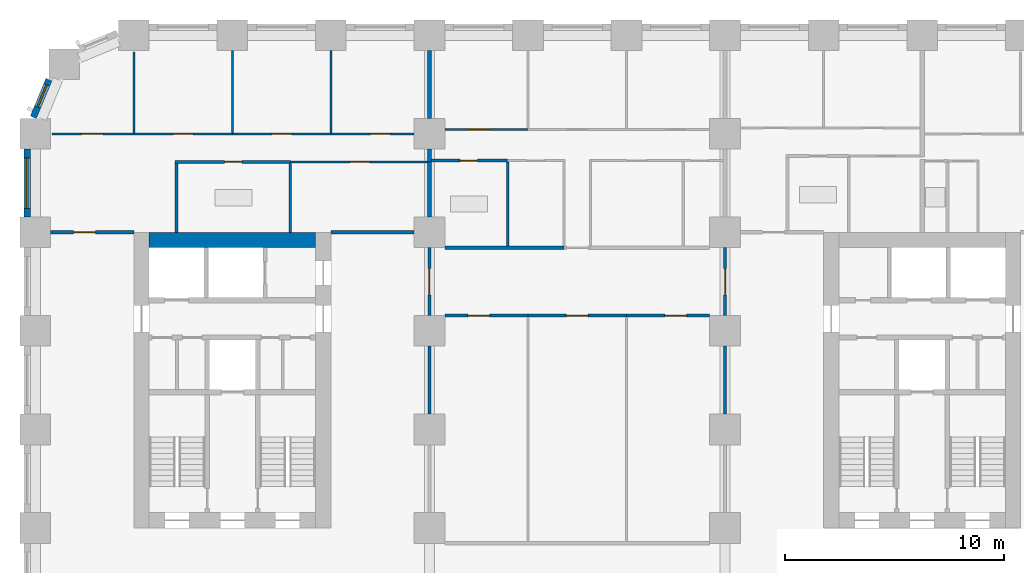
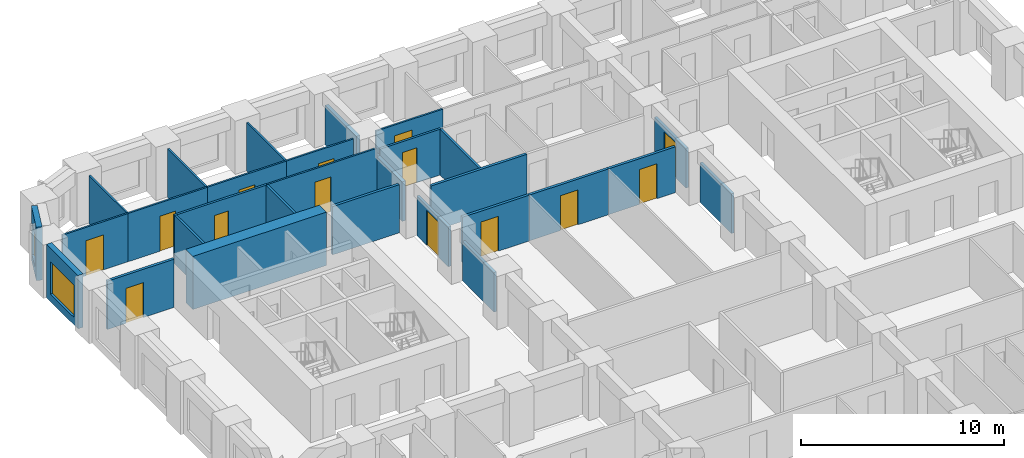
# One storey, part 7 of 13: 30 walls, 14 doors, 2 windows, 16 openings.
"""IFC4 building model written with IfcOpenShell, lengths in metres."""

from ifc_helpers import new_model, si_unit, direction, frame, frame_2d, origin, place, context, subcontext, project, spatial, rectangle, extrude, material, layer, layer_set, type_object, element, fill, save


model = new_model("IFC4")

# Units and contexts
model_context = context("Model", 3, precision=1e-05, world=origin(), true_north=direction((0.0, 1.0)))
body_context = subcontext(model_context, "Body", "Model", "MODEL_VIEW")
ifc_project = project(units=[si_unit("LENGTHUNIT", "METRE"), si_unit("AREAUNIT", "SQUARE_METRE"), si_unit("VOLUMEUNIT", "CUBIC_METRE"), si_unit("PLANEANGLEUNIT", "RADIAN"), si_unit("MASSUNIT", "GRAM", prefix="KILO")], contexts=[model_context])

# Site, building, storey
site_placement = place(None, origin())
site = spatial("IfcSite", under=ifc_project, at=site_placement, CompositionType="ELEMENT")
building_placement = place(site_placement, origin())
building = spatial("IfcBuilding", under=site, at=building_placement, Name="Girih Gate Residences", CompositionType="ELEMENT")
storey_placement = place(building_placement, frame((0.0, 0.0, 56.0)))
storey = spatial("IfcBuildingStorey", under=building, at=storey_placement, Name="L14", CompositionType="ELEMENT", Elevation=56.0)

# Wall, opening, door
ifc_material_1 = material(Name="Gypsum board on steel studs", Category="steel")
ifc_layer_1 = layer(ifc_material_1, 0.14990234375)
ifc_layer_set_1 = layer_set([ifc_layer_1], Name="Compartment wall 150 mm")
wall_type_1 = type_object("IfcWallType", Name="Compartment wall 150 mm", PredefinedType="PARTITIONING", material=ifc_layer_set_1)
wall_1_placement = place(storey_placement, frame((0.699951171875, 40.5, 0.0), z_axis=(0.0, 0.0, 1.0), x_axis=(1.0, 0.0, 0.0)))
wall_1 = element("IfcWall", 1, at=wall_1_placement, inside=storey, type_object=wall_type_1, Name="L14 partition", PredefinedType="PARTITIONING", context=body_context, shape_type="SweptSolid", body=[
    extrude(rectangle(XDim=3.800048828125, YDim=0.14990234375, at=frame_2d((1.89990234375, 0.0))), origin(), (0.0, 0.0, 1.0), 2.89990234375),
])
opening_1_placement = place(wall_1_placement, frame((1.050048828125, 0.0, 0.0)))
opening_1 = element("IfcOpeningElement", 2, at=opening_1_placement, cuts=wall_1, Name="Opening A14-016", PredefinedType="OPENING", context=body_context, shape_type="SweptSolid", body=[
    extrude(rectangle(XDim=1.0, YDim=2.10009765625, at=frame_2d((0.5, 1.050048828125))), frame((0.0, 0.0849609375, 0.0), z_axis=(0.0, -1.0, 0.0), x_axis=(1.0, 0.0, 0.0)), (0.0, 0.0, 1.0), 0.169921875),
])
ifc_material_2 = material(Name="Timber, fire-rated core", Category="wood")
door_type_1 = type_object("IfcDoorType", Name="Flat entrance door 1000x2100 FD30S", OperationType="NOTDEFINED", PredefinedType="DOOR", material=ifc_material_2)
door_1_placement = place(opening_1_placement, origin())
door_1 = element("IfcDoor", 3, at=door_1_placement, inside=storey, type_object=door_type_1, Name="Door A14-016", OperationType="SINGLE_SWING_LEFT", OverallHeight=2.10009765625, OverallWidth=1.0, PredefinedType="DOOR", context=body_context, shape_type="SweptSolid", body=[
    extrude(rectangle(XDim=1.0, YDim=2.10009765625, at=frame_2d((0.5, 1.050048828125))), frame((0.0, 0.02490234375, 0.0), z_axis=(0.0, -1.0, 0.0), x_axis=(1.0, 0.0, 0.0)), (0.0, 0.0, 1.0), 0.050048828125),
])
fill(opening_1, door_1)

# Walls
wall_2_placement = place(storey_placement, frame((13.5, 40.5, 0.0), z_axis=(0.0, 0.0, 1.0), x_axis=(1.0, 0.0, 0.0)))
element("IfcWall", 4, at=wall_2_placement, inside=storey, type_object=wall_type_1, Name="L14 partition", PredefinedType="PARTITIONING", context=body_context, shape_type="SweptSolid", body=[
    extrude(rectangle(XDim=3.800048828125, YDim=0.14990234375, at=frame_2d((1.89990234375, 0.0))), origin(), (0.0, 0.0, 1.0), 2.89990234375),
])
wall_3_placement = place(storey_placement, frame((18.699951171875, 39.800048828125, 0.0), z_axis=(0.0, 0.0, 1.0), x_axis=(1.0, 0.0, 0.0)))
element("IfcWall", 5, at=wall_3_placement, inside=storey, type_object=wall_type_1, Name="L14 partition", PredefinedType="PARTITIONING", context=body_context, shape_type="SweptSolid", body=[
    extrude(rectangle(XDim=5.449951171875, YDim=0.14990234375, at=frame_2d((2.72509765625, 0.0))), origin(), (0.0, 0.0, 1.0), 2.75),
])

# Wall, opening, door
wall_4_placement = place(storey_placement, frame((22.5, 36.699951171875, 0.0), z_axis=(0.0, 0.0, 1.0), x_axis=(-1.0, 0.0, 0.0)))
wall_4 = element("IfcWall", 6, at=wall_4_placement, inside=storey, type_object=wall_type_1, Name="L14 partition", PredefinedType="PARTITIONING", context=body_context, shape_type="SweptSolid", body=[
    extrude(rectangle(XDim=3.800048828125, YDim=0.14990234375, at=frame_2d((1.89990234375, 0.0))), origin(), (0.0, 0.0, 1.0), 2.75),
])
opening_2_placement = place(wall_4_placement, frame((1.75, 0.0, 0.0)))
opening_2 = element("IfcOpeningElement", 7, at=opening_2_placement, cuts=wall_4, Name="Opening A14-047", PredefinedType="OPENING", context=body_context, shape_type="SweptSolid", body=[
    extrude(rectangle(XDim=1.0, YDim=2.10009765625, at=frame_2d((0.5, 1.050048828125))), frame((0.0, 0.0849609375, 0.0), z_axis=(0.0, -1.0, 0.0), x_axis=(1.0, 0.0, 0.0)), (0.0, 0.0, 1.0), 0.169921875),
])
door_type_2 = type_object("IfcDoorType", Name="Amenity room door 1000x2100 FD30S", OperationType="NOTDEFINED", PredefinedType="DOOR", material=ifc_material_2)
door_2_placement = place(opening_2_placement, origin())
door_2 = element("IfcDoor", 8, at=door_2_placement, inside=storey, type_object=door_type_2, Name="Door A14-047", OperationType="SINGLE_SWING_RIGHT", OverallHeight=2.10009765625, OverallWidth=1.0, PredefinedType="DOOR", context=body_context, shape_type="SweptSolid", body=[
    extrude(rectangle(XDim=1.0, YDim=2.10009765625, at=frame_2d((0.5, 1.050048828125))), frame((0.0, 0.02490234375, 0.0), z_axis=(0.0, -1.0, 0.0), x_axis=(1.0, 0.0, 0.0)), (0.0, 0.0, 1.0), 0.050048828125),
])
fill(opening_2, door_2)

wall_5_placement = place(storey_placement, frame((27.0, 36.699951171875, 0.0), z_axis=(0.0, 0.0, 1.0), x_axis=(-1.0, 0.0, 0.0)))
wall_5 = element("IfcWall", 9, at=wall_5_placement, inside=storey, type_object=wall_type_1, Name="L14 partition", PredefinedType="PARTITIONING", context=body_context, shape_type="SweptSolid", body=[
    extrude(rectangle(XDim=4.5, YDim=0.14990234375, at=frame_2d((2.25, 0.0))), origin(), (0.0, 0.0, 1.0), 2.75),
])
opening_3_placement = place(wall_5_placement, frame((1.75, 0.0, 0.0)))
opening_3 = element("IfcOpeningElement", 10, at=opening_3_placement, cuts=wall_5, Name="Opening A14-048", PredefinedType="OPENING", context=body_context, shape_type="SweptSolid", body=[
    extrude(rectangle(XDim=1.0, YDim=2.10009765625, at=frame_2d((0.5, 1.050048828125))), frame((0.0, 0.0849609375, 0.0), z_axis=(0.0, -1.0, 0.0), x_axis=(1.0, 0.0, 0.0)), (0.0, 0.0, 1.0), 0.169921875),
])
door_3_placement = place(opening_3_placement, origin())
door_3 = element("IfcDoor", 11, at=door_3_placement, inside=storey, type_object=door_type_2, Name="Door A14-048", OperationType="SINGLE_SWING_RIGHT", OverallHeight=2.10009765625, OverallWidth=1.0, PredefinedType="DOOR", context=body_context, shape_type="SweptSolid", body=[
    extrude(rectangle(XDim=1.0, YDim=2.10009765625, at=frame_2d((0.5, 1.050048828125))), frame((0.0, 0.02490234375, 0.0), z_axis=(0.0, -1.0, 0.0), x_axis=(1.0, 0.0, 0.0)), (0.0, 0.0, 1.0), 0.050048828125),
])
fill(opening_3, door_3)

wall_6_placement = place(storey_placement, frame((30.800048828125, 36.699951171875, 0.0), z_axis=(0.0, 0.0, 1.0), x_axis=(-1.0, 0.0, 0.0)))
wall_6 = element("IfcWall", 12, at=wall_6_placement, inside=storey, type_object=wall_type_1, Name="L14 partition", PredefinedType="PARTITIONING", context=body_context, shape_type="SweptSolid", body=[
    extrude(rectangle(XDim=3.800048828125, YDim=0.14990234375, at=frame_2d((1.89990234375, 0.0))), origin(), (0.0, 0.0, 1.0), 2.75),
])
opening_4_placement = place(wall_6_placement, frame((1.050048828125, 0.0, 0.0)))
opening_4 = element("IfcOpeningElement", 13, at=opening_4_placement, cuts=wall_6, Name="Opening A14-049", PredefinedType="OPENING", context=body_context, shape_type="SweptSolid", body=[
    extrude(rectangle(XDim=1.0, YDim=2.10009765625, at=frame_2d((0.5, 1.050048828125))), frame((0.0, 0.0849609375, 0.0), z_axis=(0.0, -1.0, 0.0), x_axis=(1.0, 0.0, 0.0)), (0.0, 0.0, 1.0), 0.169921875),
])
door_4_placement = place(opening_4_placement, origin())
door_4 = element("IfcDoor", 14, at=door_4_placement, inside=storey, type_object=door_type_2, Name="Door A14-049", OperationType="SINGLE_SWING_LEFT", OverallHeight=2.10009765625, OverallWidth=1.0, PredefinedType="DOOR", context=body_context, shape_type="SweptSolid", body=[
    extrude(rectangle(XDim=1.0, YDim=2.10009765625, at=frame_2d((0.5, 1.050048828125))), frame((0.0, 0.02490234375, 0.0), z_axis=(0.0, -1.0, 0.0), x_axis=(1.0, 0.0, 0.0)), (0.0, 0.0, 1.0), 0.050048828125),
])
fill(opening_4, door_4)

wall_7_placement = place(storey_placement, frame((31.5, 36.699951171875, 0.0), z_axis=(0.0, 0.0, 1.0), x_axis=(0.0, 1.0, 0.0)))
wall_7 = element("IfcWall", 15, at=wall_7_placement, inside=storey, type_object=wall_type_1, Name="L14 partition", PredefinedType="PARTITIONING", context=body_context, shape_type="SweptSolid", body=[
    extrude(rectangle(XDim=3.10009765625, YDim=0.14990234375, at=frame_2d((1.550048828125, 0.0))), origin(), (0.0, 0.0, 1.0), 2.3798828125),
])
opening_5_placement = place(wall_7_placement, frame((0.949951171875, 0.0, 0.0)))
opening_5 = element("IfcOpeningElement", 16, at=opening_5_placement, cuts=wall_7, Name="Opening A14-050", PredefinedType="OPENING", context=body_context, shape_type="SweptSolid", body=[
    extrude(rectangle(XDim=1.199951171875, YDim=2.10009765625, at=frame_2d((0.60009765625, 1.050048828125))), frame((0.0, 0.0849609375, 0.0), z_axis=(0.0, -1.0, 0.0), x_axis=(1.0, 0.0, 0.0)), (0.0, 0.0, 1.0), 0.169921875),
])
door_type_3 = type_object("IfcDoorType", Name="Corridor fire door 1200x2100 FD30S", OperationType="NOTDEFINED", PredefinedType="DOOR", material=ifc_material_2)
door_5_placement = place(opening_5_placement, origin())
door_5 = element("IfcDoor", 17, at=door_5_placement, inside=storey, type_object=door_type_3, Name="Door A14-050", OperationType="SINGLE_SWING_LEFT", OverallHeight=2.10009765625, OverallWidth=1.199951171875, PredefinedType="DOOR", context=body_context, shape_type="SweptSolid", body=[
    extrude(rectangle(XDim=1.199951171875, YDim=2.10009765625, at=frame_2d((0.60009765625, 1.050048828125))), frame((0.0, 0.02490234375, 0.0), z_axis=(0.0, -1.0, 0.0), x_axis=(1.0, 0.0, 0.0)), (0.0, 0.0, 1.0), 0.050048828125),
])
fill(opening_5, door_5)

wall_8_placement = place(storey_placement, frame((18.0, 39.800048828125, 0.0), z_axis=(0.0, 0.0, 1.0), x_axis=(0.0, -1.0, 0.0)))
wall_8 = element("IfcWall", 18, at=wall_8_placement, inside=storey, type_object=wall_type_1, Name="L14 partition", PredefinedType="PARTITIONING", context=body_context, shape_type="SweptSolid", body=[
    extrude(rectangle(XDim=3.10009765625, YDim=0.14990234375, at=frame_2d((1.550048828125, 0.0))), origin(), (0.0, 0.0, 1.0), 2.3798828125),
])
opening_6_placement = place(wall_8_placement, frame((0.949951171875, 0.0, 0.0)))
opening_6 = element("IfcOpeningElement", 19, at=opening_6_placement, cuts=wall_8, Name="Opening A14-051", PredefinedType="OPENING", context=body_context, shape_type="SweptSolid", body=[
    extrude(rectangle(XDim=1.199951171875, YDim=2.10009765625, at=frame_2d((0.60009765625, 1.050048828125))), frame((0.0, 0.0849609375, 0.0), z_axis=(0.0, -1.0, 0.0), x_axis=(1.0, 0.0, 0.0)), (0.0, 0.0, 1.0), 0.169921875),
])
door_6_placement = place(opening_6_placement, origin())
door_6 = element("IfcDoor", 20, at=door_6_placement, inside=storey, type_object=door_type_3, Name="Door A14-051", OperationType="SINGLE_SWING_LEFT", OverallHeight=2.10009765625, OverallWidth=1.199951171875, PredefinedType="DOOR", context=body_context, shape_type="SweptSolid", body=[
    extrude(rectangle(XDim=1.199951171875, YDim=2.10009765625, at=frame_2d((0.60009765625, 1.050048828125))), frame((0.0, 0.02490234375, 0.0), z_axis=(0.0, -1.0, 0.0), x_axis=(1.0, 0.0, 0.0)), (0.0, 0.0, 1.0), 0.050048828125),
])
fill(opening_6, door_6)

# Walls
for number, where, z_axis, x_axis, name in (
    (21, (18.0, 32.199951171875, 0.0), (0.0, 0.0, 1.0), (0.0, 1.0, 0.0), "L14 partition"),
    (22, (31.5, 32.199951171875, 0.0), (0.0, 0.0, 1.0), (0.0, 1.0, 0.0), "L14 partition"),
):
    element("IfcWall", number, at=place(storey_placement, frame(where, z_axis=z_axis, x_axis=x_axis)), inside=storey, type_object=wall_type_1, Name=name, PredefinedType="PARTITIONING", context=body_context, shape_type="SweptSolid", body=[
        extrude(rectangle(XDim=3.10009765625, YDim=0.14990234375, at=frame_2d((1.550048828125, 0.0))), origin(), (0.0, 0.0, 1.0), 2.3798828125),
    ])
ifc_material_3 = material(Name="Concrete C60/75", Category="concrete")
ifc_layer_2 = layer(ifc_material_3, 0.699951171875)
ifc_layer_set_2 = layer_set([ifc_layer_2], Name="Core wall RC 700 Concrete C60/75")
wall_type_2 = type_object("IfcWallType", Name="Core wall RC 700 Concrete C60/75", PredefinedType="SOLIDWALL", material=ifc_layer_set_2)
wall_9_placement = place(storey_placement, frame((5.199951171875, 40.14990234375, 0.0), z_axis=(0.0, 0.0, 1.0), x_axis=(1.0, 0.0, 0.0)))
element("IfcWall", 23, at=wall_9_placement, inside=storey, type_object=wall_type_2, Name="Core wall W-N L14", PredefinedType="SOLIDWALL", context=body_context, shape_type="SweptSolid", body=[
    extrude(rectangle(XDim=7.60009765625, YDim=0.699951171875, at=frame_2d((3.800048828125, 0.0))), origin(), (0.0, 0.0, 1.0), 3.199951171875),
])
ifc_layer_3 = layer(ifc_material_1, 0.10009765625)
ifc_layer_set_3 = layer_set([ifc_layer_3], Name="Partition 100 mm")
wall_type_3 = type_object("IfcWallType", Name="Partition 100 mm", PredefinedType="PARTITIONING", material=ifc_layer_set_3)
wall_10_placement = place(storey_placement, frame((9.0, 45.050048828125, 0.0), z_axis=(0.0, 0.0, 1.0), x_axis=(0.0, 1.0, 0.0)))
element("IfcWall", 24, at=wall_10_placement, inside=storey, type_object=wall_type_3, Name="L14 partition", PredefinedType="PARTITIONING", context=body_context, shape_type="SweptSolid", body=[
    extrude(rectangle(XDim=3.75, YDim=0.10009765625, at=frame_2d((1.875, 0.0))), origin(), (0.0, 0.0, 1.0), 2.89990234375),
])

# Wall, opening, door
wall_11_placement = place(storey_placement, frame((4.5, 45.0, 0.0), z_axis=(0.0, 0.0, 1.0), x_axis=(1.0, 0.0, 0.0)))
wall_11 = element("IfcWall", 25, at=wall_11_placement, inside=storey, type_object=wall_type_3, Name="L14 partition", PredefinedType="PARTITIONING", context=body_context, shape_type="SweptSolid", body=[
    extrude(rectangle(XDim=4.5, YDim=0.10009765625, at=frame_2d((2.25, 0.0))), origin(), (0.0, 0.0, 1.0), 2.89990234375),
])
opening_7_placement = place(wall_11_placement, frame((1.800048828125, 0.0, 0.0)))
opening_7 = element("IfcOpeningElement", 26, at=opening_7_placement, cuts=wall_11, Name="Opening A14-011", PredefinedType="OPENING", context=body_context, shape_type="SweptSolid", body=[
    extrude(rectangle(XDim=0.89990234375, YDim=2.10009765625, at=frame_2d((0.449951171875, 1.050048828125))), frame((0.0, 0.06005859375, 0.0), z_axis=(0.0, -1.0, 0.0), x_axis=(1.0, 0.0, 0.0)), (0.0, 0.0, 1.0), 0.1201171875),
])
ifc_material_4 = material(Name="Timber", Category="wood")
door_type_4 = type_object("IfcDoorType", Name="Bedroom door 900x2100", OperationType="NOTDEFINED", PredefinedType="DOOR", material=ifc_material_4)
door_7_placement = place(opening_7_placement, origin())
door_7 = element("IfcDoor", 27, at=door_7_placement, inside=storey, type_object=door_type_4, Name="Door A14-011", OperationType="SINGLE_SWING_RIGHT", OverallHeight=2.10009765625, OverallWidth=0.89990234375, PredefinedType="DOOR", context=body_context, shape_type="SweptSolid", body=[
    extrude(rectangle(XDim=0.89990234375, YDim=2.10009765625, at=frame_2d((0.449951171875, 1.050048828125))), frame((0.0, 0.02490234375, 0.0), z_axis=(0.0, -1.0, 0.0), x_axis=(1.0, 0.0, 0.0)), (0.0, 0.0, 1.0), 0.050048828125),
])
fill(opening_7, door_7)

# Walls
wall_12_placement = place(storey_placement, frame((4.5, 45.050048828125, 0.0), z_axis=(0.0, 0.0, 1.0), x_axis=(0.0, 1.0, 0.0)))
element("IfcWall", 28, at=wall_12_placement, inside=storey, type_object=wall_type_3, Name="L14 partition", PredefinedType="PARTITIONING", context=body_context, shape_type="SweptSolid", body=[
    extrude(rectangle(XDim=3.6923828125, YDim=0.10009765625, at=frame_2d((1.84619140625, 0.0))), origin(), (0.0, 0.0, 1.0), 2.89990234375),
])
wall_13_placement = place(storey_placement, frame((13.5, 45.050048828125, 0.0), z_axis=(0.0, 0.0, 1.0), x_axis=(0.0, 1.0, 0.0)))
element("IfcWall", 29, at=wall_13_placement, inside=storey, type_object=wall_type_3, Name="L14 partition", PredefinedType="PARTITIONING", context=body_context, shape_type="SweptSolid", body=[
    extrude(rectangle(XDim=3.75, YDim=0.10009765625, at=frame_2d((1.875, 0.0))), origin(), (0.0, 0.0, 1.0), 2.89990234375),
])

# Wall, opening, door
wall_14_placement = place(storey_placement, frame((9.0, 45.0, 0.0), z_axis=(0.0, 0.0, 1.0), x_axis=(1.0, 0.0, 0.0)))
wall_14 = element("IfcWall", 30, at=wall_14_placement, inside=storey, type_object=wall_type_3, Name="L14 partition", PredefinedType="PARTITIONING", context=body_context, shape_type="SweptSolid", body=[
    extrude(rectangle(XDim=4.5, YDim=0.10009765625, at=frame_2d((2.25, 0.0))), origin(), (0.0, 0.0, 1.0), 2.89990234375),
])
opening_8_placement = place(wall_14_placement, frame((1.800048828125, 0.0, 0.0)))
opening_8 = element("IfcOpeningElement", 31, at=opening_8_placement, cuts=wall_14, Name="Opening A14-012", PredefinedType="OPENING", context=body_context, shape_type="SweptSolid", body=[
    extrude(rectangle(XDim=0.89990234375, YDim=2.10009765625, at=frame_2d((0.449951171875, 1.050048828125))), frame((0.0, 0.06005859375, 0.0), z_axis=(0.0, -1.0, 0.0), x_axis=(1.0, 0.0, 0.0)), (0.0, 0.0, 1.0), 0.1201171875),
])
door_8_placement = place(opening_8_placement, origin())
door_8 = element("IfcDoor", 32, at=door_8_placement, inside=storey, type_object=door_type_4, Name="Door A14-012", OperationType="SINGLE_SWING_LEFT", OverallHeight=2.10009765625, OverallWidth=0.89990234375, PredefinedType="DOOR", context=body_context, shape_type="SweptSolid", body=[
    extrude(rectangle(XDim=0.89990234375, YDim=2.10009765625, at=frame_2d((0.449951171875, 1.050048828125))), frame((0.0, 0.02490234375, 0.0), z_axis=(0.0, -1.0, 0.0), x_axis=(1.0, 0.0, 0.0)), (0.0, 0.0, 1.0), 0.050048828125),
])
fill(opening_8, door_8)

wall_15_placement = place(storey_placement, frame((13.5, 45.0, 0.0), z_axis=(0.0, 0.0, 1.0), x_axis=(1.0, 0.0, 0.0)))
wall_15 = element("IfcWall", 33, at=wall_15_placement, inside=storey, type_object=wall_type_3, Name="L14 partition", PredefinedType="PARTITIONING", context=body_context, shape_type="SweptSolid", body=[
    extrude(rectangle(XDim=3.800048828125, YDim=0.10009765625, at=frame_2d((1.89990234375, 0.0))), origin(), (0.0, 0.0, 1.0), 2.89990234375),
])
opening_9_placement = place(wall_15_placement, frame((1.800048828125, 0.0, 0.0)))
opening_9 = element("IfcOpeningElement", 34, at=opening_9_placement, cuts=wall_15, Name="Opening A14-013", PredefinedType="OPENING", context=body_context, shape_type="SweptSolid", body=[
    extrude(rectangle(XDim=0.89990234375, YDim=2.10009765625, at=frame_2d((0.449951171875, 1.050048828125))), frame((0.0, 0.06005859375, 0.0), z_axis=(0.0, -1.0, 0.0), x_axis=(1.0, 0.0, 0.0)), (0.0, 0.0, 1.0), 0.1201171875),
])
door_9_placement = place(opening_9_placement, origin())
door_9 = element("IfcDoor", 35, at=door_9_placement, inside=storey, type_object=door_type_4, Name="Door A14-013", OperationType="SINGLE_SWING_RIGHT", OverallHeight=2.10009765625, OverallWidth=0.89990234375, PredefinedType="DOOR", context=body_context, shape_type="SweptSolid", body=[
    extrude(rectangle(XDim=0.89990234375, YDim=2.10009765625, at=frame_2d((0.449951171875, 1.050048828125))), frame((0.0, 0.02490234375, 0.0), z_axis=(0.0, -1.0, 0.0), x_axis=(1.0, 0.0, 0.0)), (0.0, 0.0, 1.0), 0.050048828125),
])
fill(opening_9, door_9)

wall_16_placement = place(storey_placement, frame((17.89990234375, 43.719970703125, 0.0), z_axis=(0.0, 0.0, 1.0), x_axis=(-1.0, 0.0, 0.0)))
wall_16 = element("IfcWall", 36, at=wall_16_placement, inside=storey, type_object=wall_type_3, Name="L14 partition", PredefinedType="PARTITIONING", context=body_context, shape_type="SweptSolid", body=[
    extrude(rectangle(XDim=6.2548828125, YDim=0.10009765625, at=frame_2d((3.12744140625, 0.0))), origin(), (0.0, 0.0, 1.0), 2.89990234375),
])
opening_10_placement = place(wall_16_placement, frame((2.62744140625, 0.0, 0.0)))
opening_10 = element("IfcOpeningElement", 37, at=opening_10_placement, cuts=wall_16, Name="Opening A14-014", PredefinedType="OPENING", context=body_context, shape_type="SweptSolid", body=[
    extrude(rectangle(XDim=0.89990234375, YDim=2.10009765625, at=frame_2d((0.449951171875, 1.050048828125))), frame((0.0, 0.06005859375, 0.0), z_axis=(0.0, -1.0, 0.0), x_axis=(1.0, 0.0, 0.0)), (0.0, 0.0, 1.0), 0.1201171875),
])
door_type_5 = type_object("IfcDoorType", Name="Kitchen door 900x2100", OperationType="NOTDEFINED", PredefinedType="DOOR", material=ifc_material_4)
door_10_placement = place(opening_10_placement, origin())
door_10 = element("IfcDoor", 38, at=door_10_placement, inside=storey, type_object=door_type_5, Name="Door A14-014", OperationType="SINGLE_SWING_LEFT", OverallHeight=2.10009765625, OverallWidth=0.89990234375, PredefinedType="DOOR", context=body_context, shape_type="SweptSolid", body=[
    extrude(rectangle(XDim=0.89990234375, YDim=2.10009765625, at=frame_2d((0.449951171875, 1.050048828125))), frame((0.0, 0.02490234375, 0.0), z_axis=(0.0, -1.0, 0.0), x_axis=(1.0, 0.0, 0.0)), (0.0, 0.0, 1.0), 0.050048828125),
])
fill(opening_10, door_10)

wall_17_placement = place(storey_placement, frame((0.757568359375, 45.0, 0.0), z_axis=(0.0, 0.0, 1.0), x_axis=(1.0, 0.0, 0.0)))
wall_17 = element("IfcWall", 39, at=wall_17_placement, inside=storey, type_object=wall_type_3, Name="L14 partition", PredefinedType="PARTITIONING", context=body_context, shape_type="SweptSolid", body=[
    extrude(rectangle(XDim=3.742431640625, YDim=0.10009765625, at=frame_2d((1.87109375, 0.0))), origin(), (0.0, 0.0, 1.0), 2.89990234375),
])
opening_11_placement = place(wall_17_placement, frame((1.34228515625, 0.0, 0.0)))
opening_11 = element("IfcOpeningElement", 40, at=opening_11_placement, cuts=wall_17, Name="Opening A14-015", PredefinedType="OPENING", context=body_context, shape_type="SweptSolid", body=[
    extrude(rectangle(XDim=1.0, YDim=2.10009765625, at=frame_2d((0.5, 1.050048828125))), frame((0.0, 0.06005859375, 0.0), z_axis=(0.0, -1.0, 0.0), x_axis=(1.0, 0.0, 0.0)), (0.0, 0.0, 1.0), 0.1201171875),
])
door_type_6 = type_object("IfcDoorType", Name="Living room door 1000x2100", OperationType="NOTDEFINED", PredefinedType="DOOR", material=ifc_material_4)
door_11_placement = place(opening_11_placement, origin())
door_11 = element("IfcDoor", 41, at=door_11_placement, inside=storey, type_object=door_type_6, Name="Door A14-015", OperationType="SINGLE_SWING_LEFT", OverallHeight=2.10009765625, OverallWidth=1.0, PredefinedType="DOOR", context=body_context, shape_type="SweptSolid", body=[
    extrude(rectangle(XDim=1.0, YDim=2.10009765625, at=frame_2d((0.5, 1.050048828125))), frame((0.0, 0.02490234375, 0.0), z_axis=(0.0, -1.0, 0.0), x_axis=(1.0, 0.0, 0.0)), (0.0, 0.0, 1.0), 0.050048828125),
])
fill(opening_11, door_11)

wall_18_placement = place(storey_placement, frame((18.699951171875, 45.199951171875, 0.0), z_axis=(0.0, 0.0, 1.0), x_axis=(1.0, 0.0, 0.0)))
wall_18 = element("IfcWall", 42, at=wall_18_placement, inside=storey, type_object=wall_type_3, Name="L14 partition", PredefinedType="PARTITIONING", context=body_context, shape_type="SweptSolid", body=[
    extrude(rectangle(XDim=3.800048828125, YDim=0.10009765625, at=frame_2d((1.89990234375, 0.0))), origin(), (0.0, 0.0, 1.0), 2.75),
])
opening_12_placement = place(wall_18_placement, frame((1.050048828125, 0.0, 0.0)))
opening_12 = element("IfcOpeningElement", 43, at=opening_12_placement, cuts=wall_18, Name="Opening A14-043", PredefinedType="OPENING", context=body_context, shape_type="SweptSolid", body=[
    extrude(rectangle(XDim=1.0, YDim=2.10009765625, at=frame_2d((0.5, 1.050048828125))), frame((0.0, 0.06005859375, 0.0), z_axis=(0.0, -1.0, 0.0), x_axis=(1.0, 0.0, 0.0)), (0.0, 0.0, 1.0), 0.1201171875),
])
door_12_placement = place(opening_12_placement, origin())
door_12 = element("IfcDoor", 44, at=door_12_placement, inside=storey, type_object=door_type_6, Name="Door A14-043", OperationType="SINGLE_SWING_LEFT", OverallHeight=2.10009765625, OverallWidth=1.0, PredefinedType="DOOR", context=body_context, shape_type="SweptSolid", body=[
    extrude(rectangle(XDim=1.0, YDim=2.10009765625, at=frame_2d((0.5, 1.050048828125))), frame((0.0, 0.02490234375, 0.0), z_axis=(0.0, -1.0, 0.0), x_axis=(1.0, 0.0, 0.0)), (0.0, 0.0, 1.0), 0.050048828125),
])
fill(opening_12, door_12)

# Walls
ifc_layer_4 = layer(ifc_material_1, 0.199951171875)
ifc_layer_set_4 = layer_set([ifc_layer_4], Name="Party wall 200 mm")
wall_type_4 = type_object("IfcWallType", Name="Party wall 200 mm", PredefinedType="PARTITIONING", material=ifc_layer_set_4)
wall_19_placement = place(storey_placement, frame((18.0, 45.699951171875, 0.0), z_axis=(0.0, 0.0, 1.0), x_axis=(0.0, 1.0, 0.0)))
element("IfcWall", 45, at=wall_19_placement, inside=storey, type_object=wall_type_4, Name="L14 partition", PredefinedType="PARTITIONING", context=body_context, shape_type="SweptSolid", body=[
    extrude(rectangle(XDim=3.10009765625, YDim=0.199951171875, at=frame_2d((1.550048828125, 0.0))), origin(), (0.0, 0.0, 1.0), 2.3798828125),
])
wall_20_placement = place(storey_placement, frame((18.0, 43.717529296875, 0.0), z_axis=(0.0, 0.0, 1.0), x_axis=(0.0, 1.0, 0.0)))
element("IfcWall", 46, at=wall_20_placement, inside=storey, type_object=wall_type_4, Name="L14 partition", PredefinedType="PARTITIONING", context=body_context, shape_type="SweptSolid", body=[
    extrude(rectangle(XDim=0.58251953125, YDim=0.199951171875, at=frame_2d((0.291259765625, 0.0))), origin(), (0.0, 0.0, 1.0), 2.3798828125),
])
wall_21_placement = place(storey_placement, frame((18.0, 41.199951171875, 0.0), z_axis=(0.0, 0.0, 1.0), x_axis=(0.0, 1.0, 0.0)))
element("IfcWall", 47, at=wall_21_placement, inside=storey, type_object=wall_type_4, Name="L14 partition", PredefinedType="PARTITIONING", context=body_context, shape_type="SweptSolid", body=[
    extrude(rectangle(XDim=2.570068359375, YDim=0.199951171875, at=frame_2d((1.28515625, 0.0))), origin(), (0.0, 0.0, 1.0), 2.3798828125),
])

# Wall, opening, window
ifc_material_5 = material(Name="Precast concrete C50/60", Category="concrete")
ifc_layer_5 = layer(ifc_material_5, 0.080078125, Name="Outer leaf")
ifc_material_6 = material(Name="Rigid PIR insulation")
ifc_layer_6 = layer(ifc_material_6, 0.14990234375, Name="Insulation")
ifc_material_7 = material(Name="Precast concrete C40/50", Category="concrete")
ifc_layer_7 = layer(ifc_material_7, 0.070068359375, Name="Inner leaf")
ifc_layer_set_5 = layer_set([ifc_layer_5, ifc_layer_6, ifc_layer_7], Name="Precast concrete C50/60 external wall 300")
wall_type_5 = type_object("IfcWallType", Name="Precast concrete C50/60 external wall 300", PredefinedType="SOLIDWALL", material=ifc_layer_set_5)
wall_22_placement = place(storey_placement, frame((-0.09228515625, 45.75732421875, 0.0), z_axis=(0.0, 0.0, 1.0), x_axis=(0.382737135771, 0.923857286003, 0.0)))
wall_22 = element("IfcWall", 48, at=wall_22_placement, inside=storey, type_object=wall_type_5, Name="External wall NW0013_0482.0", PredefinedType="SOLIDWALL", context=body_context, shape_type="SweptSolid", body=[
    extrude(rectangle(XDim=1.865234375, YDim=0.300048828125, at=frame_2d((0.9326171875, 0.0))), origin(), (0.0, 0.0, 1.0), 3.199951171875),
])
opening_13_placement = place(wall_22_placement, frame((0.507568359375, 0.0, 0.449951171875)))
opening_13 = element("IfcOpeningElement", 49, at=opening_13_placement, cuts=wall_22, Name="Opening W-2C", PredefinedType="OPENING", context=body_context, shape_type="SweptSolid", body=[
    extrude(rectangle(XDim=1.10009765625, YDim=1.949951171875, at=frame_2d((0.550048828125, 0.97509765625))), frame((0.0, 0.159912109375, 0.0), z_axis=(0.0, -1.0, 0.0), x_axis=(1.0, 0.0, 0.0)), (0.0, 0.0, 1.0), 0.320068359375),
])
ifc_material_8 = material(Name="Double glazing in aluminium frame", Category="aluminium")
window_type_1 = type_object("IfcWindowType", Name="Window W-2C 1100x1950", PartitioningType="SINGLE_PANEL", PredefinedType="WINDOW", material=ifc_material_8)
window_1_placement = place(opening_13_placement, origin())
window_1 = element("IfcWindow", 50, at=window_1_placement, inside=storey, type_object=window_type_1, Name="Window W-2C NW0013_0482.0", OverallHeight=1.949951171875, OverallWidth=1.10009765625, PartitioningType="SINGLE_PANEL", PredefinedType="WINDOW", context=body_context, shape_type="SweptSolid", body=[
    extrude(rectangle(XDim=1.10009765625, YDim=1.949951171875, at=frame_2d((0.550048828125, 0.97509765625))), frame((0.0, 0.030029296875, 0.0), z_axis=(0.0, -1.0, 0.0), x_axis=(1.0, 0.0, 0.0)), (0.0, 0.0, 1.0), 0.06005859375),
])
fill(opening_13, window_1)

wall_23_placement = place(storey_placement, frame((-0.375, 41.199951171875, 0.0), z_axis=(0.0, 0.0, 1.0), x_axis=(0.0, 1.0, 0.0)))
wall_23 = element("IfcWall", 51, at=wall_23_placement, inside=storey, type_object=wall_type_5, Name="External wall W0000_0450.0", PredefinedType="SOLIDWALL", context=body_context, shape_type="SweptSolid", body=[
    extrude(rectangle(XDim=3.10009765625, YDim=0.300048828125, at=frame_2d((1.550048828125, 0.0))), origin(), (0.0, 0.0, 1.0), 3.199951171875),
])
opening_14_placement = place(wall_23_placement, frame((0.39990234375, 0.0, 0.449951171875)))
opening_14 = element("IfcOpeningElement", 52, at=opening_14_placement, cuts=wall_23, Name="Opening W-1", PredefinedType="OPENING", context=body_context, shape_type="SweptSolid", body=[
    extrude(rectangle(XDim=2.300048828125, YDim=1.949951171875, at=frame_2d((1.14990234375, 0.97509765625))), frame((0.0, 0.159912109375, 0.0), z_axis=(0.0, -1.0, 0.0), x_axis=(1.0, 0.0, 0.0)), (0.0, 0.0, 1.0), 0.320068359375),
])
window_type_2 = type_object("IfcWindowType", Name="Window W-1 2300x1950", PartitioningType="SINGLE_PANEL", PredefinedType="WINDOW", material=ifc_material_8)
window_2_placement = place(opening_14_placement, origin())
window_2 = element("IfcWindow", 53, at=window_2_placement, inside=storey, type_object=window_type_2, Name="Window W-1 W0000_0450.0", OverallHeight=1.949951171875, OverallWidth=2.300048828125, PartitioningType="SINGLE_PANEL", PredefinedType="WINDOW", context=body_context, shape_type="SweptSolid", body=[
    extrude(rectangle(XDim=2.300048828125, YDim=1.949951171875, at=frame_2d((1.14990234375, 0.97509765625))), frame((0.0, 0.030029296875, 0.0), z_axis=(0.0, -1.0, 0.0), x_axis=(1.0, 0.0, 0.0)), (0.0, 0.0, 1.0), 0.06005859375),
])
fill(opening_14, window_2)

# Wall
ifc_layer_8 = layer(ifc_material_1, 0.125)
ifc_layer_set_6 = layer_set([ifc_layer_8], Name="Wet room wall 125 mm")
wall_type_6 = type_object("IfcWallType", Name="Wet room wall 125 mm", PredefinedType="PARTITIONING", material=ifc_layer_set_6)
wall_24_placement = place(storey_placement, frame((6.449951171875, 40.5, 0.0), z_axis=(0.0, 0.0, 1.0), x_axis=(0.0, 1.0, 0.0)))
element("IfcWall", 54, at=wall_24_placement, inside=storey, type_object=wall_type_6, Name="L14 partition", PredefinedType="PARTITIONING", context=body_context, shape_type="SweptSolid", body=[
    extrude(rectangle(XDim=3.157470703125, YDim=0.125, at=frame_2d((1.57861328125, 0.0))), origin(), (0.0, 0.0, 1.0), 2.89990234375),
])

# Wall, opening, door
wall_25_placement = place(storey_placement, frame((11.64501953125, 43.719970703125, 0.0), z_axis=(0.0, 0.0, 1.0), x_axis=(-1.0, 0.0, 0.0)))
wall_25 = element("IfcWall", 55, at=wall_25_placement, inside=storey, type_object=wall_type_6, Name="L14 partition", PredefinedType="PARTITIONING", context=body_context, shape_type="SweptSolid", body=[
    extrude(rectangle(XDim=5.257568359375, YDim=0.125, at=frame_2d((2.62890625, 0.0))), origin(), (0.0, 0.0, 1.0), 2.89990234375),
])
opening_15_placement = place(wall_25_placement, frame((2.197509765625, 0.0, 0.0)))
opening_15 = element("IfcOpeningElement", 56, at=opening_15_placement, cuts=wall_25, Name="Opening A14-010", PredefinedType="OPENING", context=body_context, shape_type="SweptSolid", body=[
    extrude(rectangle(XDim=0.800048828125, YDim=2.10009765625, at=frame_2d((0.39990234375, 1.050048828125))), frame((0.0, 0.072509765625, 0.0), z_axis=(0.0, -1.0, 0.0), x_axis=(1.0, 0.0, 0.0)), (0.0, 0.0, 1.0), 0.14501953125),
])
door_type_7 = type_object("IfcDoorType", Name="Bathroom door 800x2100", OperationType="NOTDEFINED", PredefinedType="DOOR", material=ifc_material_4)
door_13_placement = place(opening_15_placement, origin())
door_13 = element("IfcDoor", 57, at=door_13_placement, inside=storey, type_object=door_type_7, Name="Door A14-010", OperationType="SINGLE_SWING_LEFT", OverallHeight=2.10009765625, OverallWidth=0.800048828125, PredefinedType="DOOR", context=body_context, shape_type="SweptSolid", body=[
    extrude(rectangle(XDim=0.800048828125, YDim=2.10009765625, at=frame_2d((0.39990234375, 1.050048828125))), frame((0.0, 0.02490234375, 0.0), z_axis=(0.0, -1.0, 0.0), x_axis=(1.0, 0.0, 0.0)), (0.0, 0.0, 1.0), 0.050048828125),
])
fill(opening_15, door_13)

# Wall
wall_26_placement = place(storey_placement, frame((11.64501953125, 40.5, 0.0), z_axis=(0.0, 0.0, 1.0), x_axis=(0.0, 1.0, 0.0)))
element("IfcWall", 58, at=wall_26_placement, inside=storey, type_object=wall_type_6, Name="L14 partition", PredefinedType="PARTITIONING", context=body_context, shape_type="SweptSolid", body=[
    extrude(rectangle(XDim=3.157470703125, YDim=0.125, at=frame_2d((1.57861328125, 0.0))), origin(), (0.0, 0.0, 1.0), 2.89990234375),
])

# Wall, opening, door
wall_27_placement = place(storey_placement, frame((21.572509765625, 43.780029296875, 0.0), z_axis=(0.0, 0.0, 1.0), x_axis=(-1.0, 0.0, 0.0)))
wall_27 = element("IfcWall", 59, at=wall_27_placement, inside=storey, type_object=wall_type_6, Name="L14 partition", PredefinedType="PARTITIONING", context=body_context, shape_type="SweptSolid", body=[
    extrude(rectangle(XDim=3.472412109375, YDim=0.125, at=frame_2d((1.736328125, 0.0))), origin(), (0.0, 0.0, 1.0), 2.75),
])
opening_16_placement = place(wall_27_placement, frame((1.38623046875, 0.0, 0.0)))
opening_16 = element("IfcOpeningElement", 60, at=opening_16_placement, cuts=wall_27, Name="Opening A14-039", PredefinedType="OPENING", context=body_context, shape_type="SweptSolid", body=[
    extrude(rectangle(XDim=0.800048828125, YDim=2.10009765625, at=frame_2d((0.39990234375, 1.050048828125))), frame((0.0, 0.072509765625, 0.0), z_axis=(0.0, -1.0, 0.0), x_axis=(1.0, 0.0, 0.0)), (0.0, 0.0, 1.0), 0.14501953125),
])
door_14_placement = place(opening_16_placement, origin())
door_14 = element("IfcDoor", 61, at=door_14_placement, inside=storey, type_object=door_type_7, Name="Door A14-039", OperationType="SINGLE_SWING_RIGHT", OverallHeight=2.10009765625, OverallWidth=0.800048828125, PredefinedType="DOOR", context=body_context, shape_type="SweptSolid", body=[
    extrude(rectangle(XDim=0.800048828125, YDim=2.10009765625, at=frame_2d((0.39990234375, 1.050048828125))), frame((0.0, 0.02490234375, 0.0), z_axis=(0.0, -1.0, 0.0), x_axis=(1.0, 0.0, 0.0)), (0.0, 0.0, 1.0), 0.050048828125),
])
fill(opening_16, door_14)

# Wall
wall_28_placement = place(storey_placement, frame((21.572998046875, 39.875, 0.0), z_axis=(0.0, 0.0, 1.0), x_axis=(0.0, 1.0, 0.0)))
element("IfcWall", 62, at=wall_28_placement, inside=storey, type_object=wall_type_6, Name="L14 partition", PredefinedType="PARTITIONING", context=body_context, shape_type="SweptSolid", body=[
    extrude(rectangle(XDim=3.842529296875, YDim=0.125, at=frame_2d((1.92138671875, 0.0))), origin(), (0.0, 0.0, 1.0), 2.75),
])

save(model, "model.ifc")
